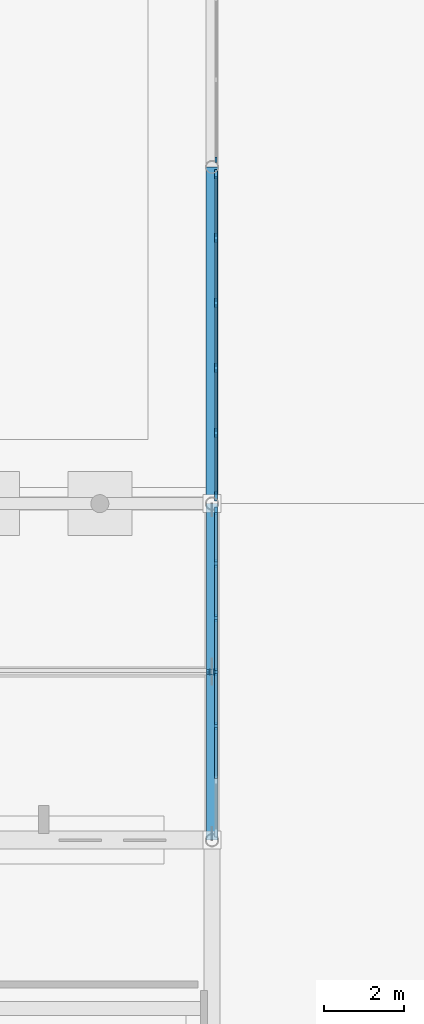
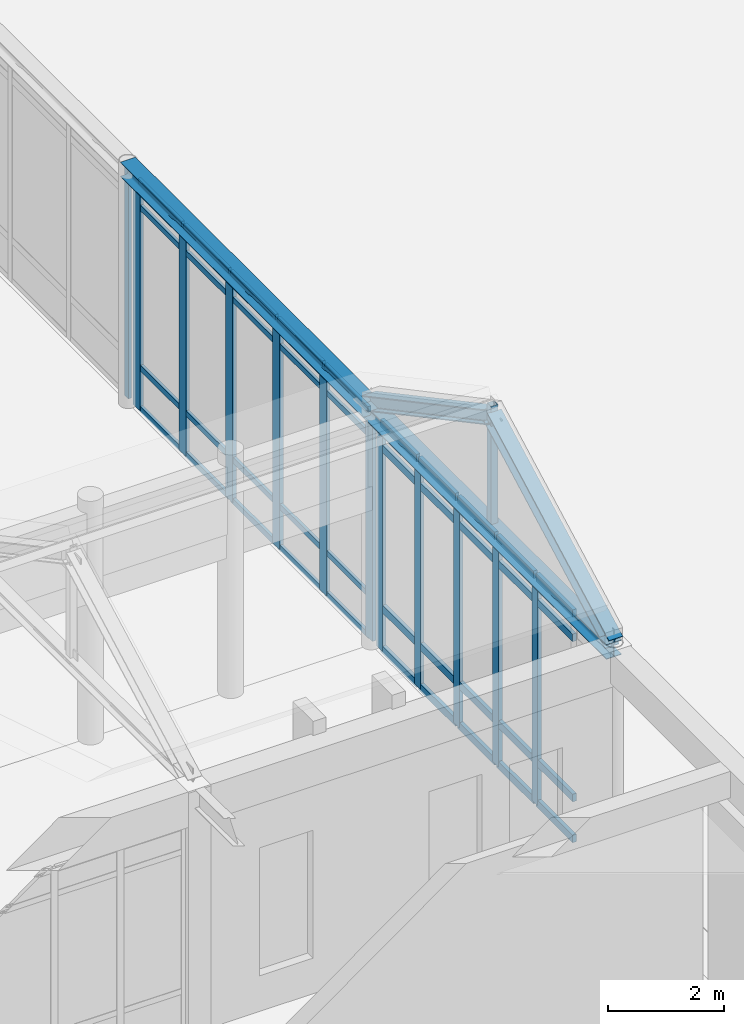
# One storey, part 30 of 143: 55 members, 2 beams, 3 elements without a shape of their own.
"""IFC4 building model written with IfcOpenShell, lengths in metres."""

import ifcopenshell
import ifcopenshell.guid

model = None  # the IFC model being written
_history = None  # IfcOwnerHistory: only IFC2X3 demands one
_inside = {}  # id of a spatial element -> (the spatial element, [elements in it])
_under = {}  # id of a project, library or spatial element -> (it, [spatial elements below it])
_declared = {}  # id of a project -> (the project, [libraries it declares])
_typed = {}  # id of a type object -> (the type object, [elements of that type])
_made_of = {}  # id of a material, layer set ... -> (it, [elements and type objects made of it])


def new_model(schema):
    """Start an empty IFC model of exactly this schema.

    Asked for "IFC4X3", IfcOpenShell would pick the latest addendum, in which some entities
    have other attributes; the version numbers below select the first issue.
    IFC2X3 requires an IfcOwnerHistory on every rooted entity: one is made here for all.
    """
    global model, _history
    if schema == "IFC4X3":
        model = ifcopenshell.file(schema_version=(4, 3, 0, 0))
    else:
        model = ifcopenshell.file(schema=schema)
    _inside.clear()
    _under.clear()
    _declared.clear()
    _typed.clear()
    _made_of.clear()
    _history = None
    if model.schema == "IFC2X3":
        org = make("IfcOrganization", Name="unknown")
        user = make(
            "IfcPersonAndOrganization",
            ThePerson=make("IfcPerson", FamilyName="unknown"),
            TheOrganization=org,
        )
        app = make(
            "IfcApplication",
            ApplicationDeveloper=org,
            Version="unknown",
            ApplicationFullName="unknown",
            ApplicationIdentifier="unknown",
        )
        _history = make(
            "IfcOwnerHistory",
            OwningUser=user,
            OwningApplication=app,
            ChangeAction="ADDED",
            CreationDate=0,
        )
    return model


def make(cls, **values):
    """One entity of the class cls with the attributes given. An attribute that is None is left unset."""
    return model.create_entity(
        cls, **{name: value for name, value in values.items() if value is not None}
    )


def rooted(cls, **values):
    """An entity with a GlobalId (a new one), such as an element, a storey or a relation."""
    return make(cls, GlobalId=ifcopenshell.guid.new(), OwnerHistory=_history, **values)


def si_unit(unit_type, name, prefix=None):
    """IfcSIUnit, for example si_unit("LENGTHUNIT", "METRE", prefix="MILLI")."""
    return make("IfcSIUnit", UnitType=unit_type, Prefix=prefix, Name=name)


def assignment(units):
    """IfcUnitAssignment: the units of a project."""
    return None if units is None else make("IfcUnitAssignment", Units=units)


def point(xyz):
    """IfcCartesianPoint."""
    return None if xyz is None else make("IfcCartesianPoint", Coordinates=xyz)


def direction(xyz):
    """IfcDirection."""
    return None if xyz is None else make("IfcDirection", DirectionRatios=xyz)


def frame(location, z_axis=None, x_axis=None):
    """IfcAxis2Placement3D, a coordinate frame: its origin and axes. An axis left out is left unset."""
    return make(
        "IfcAxis2Placement3D",
        Location=point(location),
        Axis=direction(z_axis),
        RefDirection=direction(x_axis),
    )


def frame_2d(location, x_axis=None):
    """IfcAxis2Placement2D, a coordinate frame in the plane: its origin and x axis."""
    return make(
        "IfcAxis2Placement2D", Location=point(location), RefDirection=direction(x_axis)
    )


def origin():
    """The frame at (0, 0, 0) with its axes left unset."""
    return frame((0.0, 0.0, 0.0))


def origin_2d():
    """The frame at (0, 0) in the plane with its x axis left unset."""
    return frame_2d((0.0, 0.0))


def place(relative_to, where):
    """IfcLocalPlacement: puts the frame where relative to a parent placement (None: the world)."""
    return make(
        "IfcLocalPlacement", PlacementRelTo=relative_to, RelativePlacement=where
    )


def context(
    kind, dimensions, precision=None, world=None, true_north=None, identifier=None
):
    """IfcGeometricRepresentationContext, for example the 3D "Model" context."""
    return make(
        "IfcGeometricRepresentationContext",
        ContextIdentifier=identifier,
        ContextType=kind,
        CoordinateSpaceDimension=dimensions,
        Precision=precision,
        WorldCoordinateSystem=world,
        TrueNorth=true_north,
    )


def subcontext(parent, identifier, kind, view, scale=None):
    """IfcGeometricRepresentationSubContext, for example "Body" below "Model"."""
    return make(
        "IfcGeometricRepresentationSubContext",
        ContextIdentifier=identifier,
        ContextType=kind,
        ParentContext=parent,
        TargetScale=scale,
        TargetView=view,
    )


def project(units=None, contexts=None):
    """IfcProject with its units and contexts."""
    return rooted(
        "IfcProject",
        Name="project",
        RepresentationContexts=contexts,
        UnitsInContext=assignment(units),
    )


def spatial(cls, under=None, at=None, **own):
    """A site, building, storey or space (cls), placed at a placement, below another one or the project."""
    s = rooted(cls, ObjectPlacement=at, **own)
    if under is not None:
        _under.setdefault(under.id(), (under, []))[1].append(s)
    return s


def profile(cls, at=None, kind="AREA", **sizes):
    """A parametric profile (cls). Its sizes go by their IFC names, for example OverallWidth=200.0."""
    return make(cls, ProfileType=kind, Position=at, **sizes)


def rectangle(**sizes):
    """IfcRectangleProfileDef."""
    return profile("IfcRectangleProfileDef", **sizes)


def hollow_rectangle(**sizes):
    """IfcRectangleHollowProfileDef."""
    return profile("IfcRectangleHollowProfileDef", **sizes)


def i_section(**sizes):
    """IfcIShapeProfileDef."""
    return profile("IfcIShapeProfileDef", **sizes)


def extrude(swept, where, along, depth):
    """IfcExtrudedAreaSolid: the profile swept, set in the frame where, extruded along a direction by depth."""
    return make(
        "IfcExtrudedAreaSolid",
        SweptArea=swept,
        Position=where,
        ExtrudedDirection=direction(along),
        Depth=depth,
    )


def shape(context_of_items, identifier, shape_type, items):
    """IfcShapeRepresentation: the items that make up one representation, for example the "Body"."""
    return make(
        "IfcShapeRepresentation",
        ContextOfItems=context_of_items,
        RepresentationIdentifier=identifier,
        RepresentationType=shape_type,
        Items=items,
    )


def material(Name=None, Category=None):
    """IfcMaterial."""
    return make("IfcMaterial", Name=Name, Category=Category)


def layer(
    of_material, thickness, ventilated=None, Name=None, Category=None, Priority=None
):
    """IfcMaterialLayer: one layer of a wall or slab, of a material (None: an air gap)."""
    return make(
        "IfcMaterialLayer",
        Material=of_material,
        LayerThickness=thickness,
        IsVentilated=ventilated,
        Name=Name,
        Category=Category,
        Priority=Priority,
    )


def layer_set(layers, Name=None):
    """IfcMaterialLayerSet."""
    return make("IfcMaterialLayerSet", MaterialLayers=layers, LayerSetName=Name)


def material_profile(
    of_material, cross_section, Name=None, Category=None, Priority=None
):
    """IfcMaterialProfile: a cross section and its material."""
    return make(
        "IfcMaterialProfile",
        Name=Name,
        Material=of_material,
        Profile=cross_section,
        Priority=Priority,
        Category=Category,
    )


def profile_set(profiles, Name=None, composite=None):
    """IfcMaterialProfileSet."""
    return make(
        "IfcMaterialProfileSet",
        Name=Name,
        MaterialProfiles=profiles,
        CompositeProfile=composite,
    )


def made_of(thing, what):
    """Note that an element or type object is made of a material, layer set ...; save() writes the relation."""
    if what is not None:
        _made_of.setdefault(what.id(), (what, []))[1].append(thing)
    return thing


def type_object(cls, material=None, **own):
    """A type object (cls), such as IfcWallType, which elements share."""
    return made_of(rooted(cls, **own), material)


def element(
    cls,
    number,
    at=None,
    inside=None,
    cuts=None,
    type_object=None,
    material=None,
    context=None,
    identifier="Body",
    shape_type=None,
    held_by="IfcProductDefinitionShape",
    body=None,
    shapes=None,
    **own,
):
    """One element of the class cls, such as IfcWall. Its Tag is "e" and its number.

    at: its placement. inside: the storey or other place that contains it. cuts: it is an
    opening in that element (IfcRelVoidsElement). A single representation is given by context,
    identifier, shape_type and body (its items); several are given by shapes. held_by: the class
    of the entity that holds the representations. save() writes the other relations.
    """
    e = rooted(cls, Tag="e%d" % number, ObjectPlacement=at, **own)
    if body is not None:
        shapes = [shape(context, identifier, shape_type, body)]
    if shapes is not None:
        e.Representation = make(held_by, Representations=shapes)
    if inside is not None:
        _inside.setdefault(inside.id(), (inside, []))[1].append(e)
    if cuts is not None:
        rooted(
            "IfcRelVoidsElement", RelatingBuildingElement=cuts, RelatedOpeningElement=e
        )
    if type_object is not None:
        _typed.setdefault(type_object.id(), (type_object, []))[1].append(e)
    return made_of(e, material)


def aggregate(whole, parts):
    """IfcRelAggregates: a whole, such as a stair, and the parts it consists of."""
    return rooted("IfcRelAggregates", RelatingObject=whole, RelatedObjects=parts)


def save(model, path):
    """Write the relations noted so far, then the file.

    IfcRelAggregates (storeys below a building ...), IfcRelContainedInSpatialStructure (elements
    in a storey), IfcRelDefinesByType, IfcRelAssociatesMaterial and IfcRelDeclares: one each for
    every whole, place, type object, material and project.
    """
    for whole, parts in _under.values():
        aggregate(whole, parts)
    for where, things in _inside.values():
        rooted(
            "IfcRelContainedInSpatialStructure",
            RelatedElements=things,
            RelatingStructure=where,
        )
    for kind, things in _typed.values():
        rooted("IfcRelDefinesByType", RelatedObjects=things, RelatingType=kind)
    for what, things in _made_of.values():
        rooted("IfcRelAssociatesMaterial", RelatedObjects=things, RelatingMaterial=what)
    for by, libraries in _declared.values():
        rooted("IfcRelDeclares", RelatingContext=by, RelatedDefinitions=libraries)
    model.write(path)


model = new_model("IFC4")

# Units and contexts
model_context = context("Model", 3, precision=1e-05, world=origin(), true_north=direction((0.0, 1.0)))
body_context = subcontext(model_context, "Body", "Model", "MODEL_VIEW")
ifc_project = project(units=[si_unit("LENGTHUNIT", "METRE"), si_unit("AREAUNIT", "SQUARE_METRE"), si_unit("VOLUMEUNIT", "CUBIC_METRE"), si_unit("PLANEANGLEUNIT", "RADIAN"), si_unit("MASSUNIT", "GRAM", prefix="KILO")], contexts=[model_context])

# Site, building, storey
site_placement = place(None, origin())
site = spatial("IfcSite", under=ifc_project, at=site_placement, CompositionType="ELEMENT")
building_placement = place(site_placement, origin())
building = spatial("IfcBuilding", under=site, at=building_placement, Name="Kveldsbrygga Polytechnic", CompositionType="ELEMENT")
storey_placement = place(building_placement, origin())
storey = spatial("IfcBuildingStorey", under=building, at=storey_placement, Name="L00", CompositionType="ELEMENT", Elevation=0.0)

# Beams
ifc_material_1 = material(Name="Steel S355", Category="steel")
ifc_material_profile_1 = material_profile(ifc_material_1, i_section(OverallWidth=0.300048828125, OverallDepth=0.31005859375, WebThickness=0.009033203125, FlangeThickness=0.015380859375, FilletRadius=0.027099609375, at=origin_2d()), Name="HEA 320")
ifc_profile_set_1 = profile_set([ifc_material_profile_1], Name="Steel S355")
beam_type = type_object("IfcBeamType", Name="BM-STL-HEA320", PredefinedType="BEAM", material=ifc_profile_set_1)
beam_1_placement = place(storey_placement, frame((50.39990234375, 25.199951171875, 4.985107421875), z_axis=(0.0, 1.0, 0.0), x_axis=(-1.0, 0.0, 0.0)))
element("IfcBeam", 1, at=beam_1_placement, inside=storey, type_object=beam_type, Name="Primary Beam BMY-L00-06-03to04", PredefinedType="BEAM", context=body_context, shape_type="SweptSolid", body=[
    extrude(i_section(OverallWidth=0.300048828125, OverallDepth=0.31005859375, WebThickness=0.009033203125, FlangeThickness=0.015380859375, FilletRadius=0.027099609375, at=origin_2d()), origin(), (0.0, 0.0, 1.0), 8.400146484375),
])
beam_2_placement = place(storey_placement, frame((50.39990234375, 33.60009765625, 4.985107421875), z_axis=(0.0, 1.0, 0.0), x_axis=(-1.0, 0.0, 0.0)))
element("IfcBeam", 2, at=beam_2_placement, inside=storey, type_object=beam_type, Name="Primary Beam BMY-L00-06-04to05", PredefinedType="BEAM", context=body_context, shape_type="SweptSolid", body=[
    extrude(i_section(OverallWidth=0.300048828125, OverallDepth=0.31005859375, WebThickness=0.009033203125, FlangeThickness=0.015380859375, FilletRadius=0.027099609375, at=origin_2d()), origin(), (0.0, 0.0, 1.0), 8.39990234375),
])

# Curtain wall, member
ifc_material_2 = material(Name="Anodised aluminium AW-6060", Category="aluminium")
ifc_layer_1 = layer(ifc_material_2, 0.199951171875)
ifc_layer_set_1 = layer_set([ifc_layer_1], Name="Anodised aluminium AW-6060")
curtain_wall_type_1 = type_object("IfcCurtainWallType", Name="CW-LANC-E", PredefinedType="USERDEFINED", material=ifc_layer_set_1)
curtain_wall_1_placement = place(storey_placement, origin())
curtain_wall_1 = element("IfcCurtainWall", 3, at=curtain_wall_1_placement, inside=storey, type_object=curtain_wall_type_1, Name="Curtain Wall CW-L00-Y-06-05", ObjectType="UNITISED CURTAIN WALL", PredefinedType="USERDEFINED")
ifc_material_profile_2 = material_profile(ifc_material_2, rectangle(XDim=0.06005859375, YDim=0.139892578125, at=origin_2d()), Name="ALU 60x140")
ifc_profile_set_2 = profile_set([ifc_material_profile_2], Name="Anodised aluminium AW-6060")
member_type_1 = type_object("IfcMemberType", Name="CW-MUL-140", PredefinedType="MULLION", material=ifc_profile_set_2)
member_1_placement = place(storey_placement, frame((50.5, 42.177001953125, 0.0), z_axis=(0.0, 0.0, 1.0), x_axis=(-1.0, 0.0, 0.0)))
member_1 = element("IfcMember", 4, at=member_1_placement, type_object=member_type_1, Name="CW-05 mullion 1", PredefinedType="MULLION", context=body_context, shape_type="SweptSolid", body=[
    extrude(rectangle(XDim=0.06005859375, YDim=0.139892578125, at=origin_2d()), origin(), (0.0, 0.0, 1.0), 4.830078125),
])
aggregate(curtain_wall_1, [member_1])

# Curtain wall, members
ifc_layer_2 = layer(ifc_material_2, 0.159912109375)
ifc_layer_set_2 = layer_set([ifc_layer_2], Name="Anodised aluminium AW-6060")
curtain_wall_type_2 = type_object("IfcCurtainWallType", Name="CW-CLER-C", PredefinedType="USERDEFINED", material=ifc_layer_set_2)
curtain_wall_2_placement = place(storey_placement, origin())
curtain_wall_2 = element("IfcCurtainWall", 5, at=curtain_wall_2_placement, inside=storey, type_object=curtain_wall_type_2, Name="Curtain Wall CW-L00-Y-06-03", ObjectType="STICK CURTAIN WALL", PredefinedType="USERDEFINED")
ifc_material_profile_3 = material_profile(ifc_material_2, rectangle(XDim=0.074951171875, YDim=0.199951171875, at=origin_2d()), Name="ALU 75x200")
ifc_profile_set_3 = profile_set([ifc_material_profile_3], Name="Anodised aluminium AW-6060")
member_type_2 = type_object("IfcMemberType", Name="CW-MUL-200", PredefinedType="MULLION", material=ifc_profile_set_3)
member_2_placement = place(storey_placement, frame((50.5, 28.049072265625, 0.0), z_axis=(0.0, 0.0, 1.0), x_axis=(-1.0, 0.0, 0.0)))
member_2 = element("IfcMember", 6, at=member_2_placement, type_object=member_type_2, Name="CW-03 mullion 3", PredefinedType="MULLION", context=body_context, shape_type="SweptSolid", body=[
    extrude(rectangle(XDim=0.074951171875, YDim=0.199951171875, at=origin_2d()), origin(), (0.0, 0.0, 1.0), 4.830078125),
])
member_3_placement = place(storey_placement, frame((50.5, 29.39990234375, 0.0), z_axis=(0.0, 0.0, 1.0), x_axis=(-1.0, 0.0, 0.0)))
member_3 = element("IfcMember", 7, at=member_3_placement, type_object=member_type_2, Name="CW-03 mullion 4", PredefinedType="MULLION", context=body_context, shape_type="SweptSolid", body=[
    extrude(rectangle(XDim=0.074951171875, YDim=0.199951171875, at=origin_2d()), origin(), (0.0, 0.0, 1.0), 4.830078125),
])
member_4_placement = place(storey_placement, frame((50.5, 30.7509765625, 0.0), z_axis=(0.0, 0.0, 1.0), x_axis=(-1.0, 0.0, 0.0)))
member_4 = element("IfcMember", 8, at=member_4_placement, type_object=member_type_2, Name="CW-03 mullion 5", PredefinedType="MULLION", context=body_context, shape_type="SweptSolid", body=[
    extrude(rectangle(XDim=0.074951171875, YDim=0.199951171875, at=origin_2d()), origin(), (0.0, 0.0, 1.0), 4.830078125),
])
member_5_placement = place(storey_placement, frame((50.5, 32.10205078125, 0.0), z_axis=(0.0, 0.0, 1.0), x_axis=(-1.0, 0.0, 0.0)))
member_5 = element("IfcMember", 9, at=member_5_placement, type_object=member_type_2, Name="CW-03 mullion 6", PredefinedType="MULLION", context=body_context, shape_type="SweptSolid", body=[
    extrude(rectangle(XDim=0.074951171875, YDim=0.199951171875, at=origin_2d()), origin(), (0.0, 0.0, 1.0), 4.830078125),
])
member_6_placement = place(storey_placement, frame((50.5, 33.41552734375, 0.0), z_axis=(0.0, 0.0, 1.0), x_axis=(-1.0, 0.0, 0.0)))
member_6 = element("IfcMember", 10, at=member_6_placement, type_object=member_type_2, Name="CW-03 mullion 7", PredefinedType="MULLION", context=body_context, shape_type="SweptSolid", body=[
    extrude(rectangle(XDim=0.074951171875, YDim=0.199951171875, at=origin_2d()), origin(), (0.0, 0.0, 1.0), 4.830078125),
])

ifc_layer_3 = layer(ifc_material_2, 0.179931640625)
ifc_layer_set_3 = layer_set([ifc_layer_3], Name="Anodised aluminium AW-6060")
curtain_wall_type_3 = type_object("IfcCurtainWallType", Name="CW-LANC-D", PredefinedType="USERDEFINED", material=ifc_layer_set_3)
curtain_wall_3_placement = place(storey_placement, origin())
curtain_wall_3 = element("IfcCurtainWall", 11, at=curtain_wall_3_placement, inside=storey, type_object=curtain_wall_type_3, Name="Curtain Wall CW-L00-Y-06-04", ObjectType="UNITISED CURTAIN WALL", PredefinedType="USERDEFINED")
ifc_material_profile_4 = material_profile(ifc_material_2, rectangle(XDim=0.074951171875, YDim=0.239990234375, at=origin_2d()), Name="ALU 75x240")
ifc_profile_set_4 = profile_set([ifc_material_profile_4], Name="Anodised aluminium AW-6060")
member_type_3 = type_object("IfcMemberType", Name="CW-MUL-240", PredefinedType="MULLION", material=ifc_profile_set_4)
member_7_placement = place(storey_placement, frame((50.5, 33.784423828125, 0.0), z_axis=(0.0, 0.0, 1.0), x_axis=(-1.0, 0.0, 0.0)))
member_7 = element("IfcMember", 12, at=member_7_placement, type_object=member_type_3, Name="CW-04 mullion 1", PredefinedType="MULLION", context=body_context, shape_type="SweptSolid", body=[
    extrude(rectangle(XDim=0.074951171875, YDim=0.239990234375, at=origin_2d()), origin(), (0.0, 0.0, 1.0), 4.830078125),
])
member_8_placement = place(storey_placement, frame((50.5, 35.3681640625, 0.0), z_axis=(0.0, 0.0, 1.0), x_axis=(-1.0, 0.0, 0.0)))
member_8 = element("IfcMember", 13, at=member_8_placement, type_object=member_type_3, Name="CW-04 mullion 2", PredefinedType="MULLION", context=body_context, shape_type="SweptSolid", body=[
    extrude(rectangle(XDim=0.074951171875, YDim=0.239990234375, at=origin_2d()), origin(), (0.0, 0.0, 1.0), 4.830078125),
])
member_9_placement = place(storey_placement, frame((50.5, 36.989501953125, 0.0), z_axis=(0.0, 0.0, 1.0), x_axis=(-1.0, 0.0, 0.0)))
member_9 = element("IfcMember", 14, at=member_9_placement, type_object=member_type_3, Name="CW-04 mullion 3", PredefinedType="MULLION", context=body_context, shape_type="SweptSolid", body=[
    extrude(rectangle(XDim=0.074951171875, YDim=0.239990234375, at=origin_2d()), origin(), (0.0, 0.0, 1.0), 4.830078125),
])
member_10_placement = place(storey_placement, frame((50.5, 38.610595703125, 0.0), z_axis=(0.0, 0.0, 1.0), x_axis=(-1.0, 0.0, 0.0)))
member_10 = element("IfcMember", 15, at=member_10_placement, type_object=member_type_3, Name="CW-04 mullion 4", PredefinedType="MULLION", context=body_context, shape_type="SweptSolid", body=[
    extrude(rectangle(XDim=0.074951171875, YDim=0.239990234375, at=origin_2d()), origin(), (0.0, 0.0, 1.0), 4.830078125),
])
member_11_placement = place(storey_placement, frame((50.5, 40.23193359375, 0.0), z_axis=(0.0, 0.0, 1.0), x_axis=(-1.0, 0.0, 0.0)))
member_11 = element("IfcMember", 16, at=member_11_placement, type_object=member_type_3, Name="CW-04 mullion 5", PredefinedType="MULLION", context=body_context, shape_type="SweptSolid", body=[
    extrude(rectangle(XDim=0.074951171875, YDim=0.239990234375, at=origin_2d()), origin(), (0.0, 0.0, 1.0), 4.830078125),
])
member_12_placement = place(storey_placement, frame((50.5, 41.8154296875, 0.0), z_axis=(0.0, 0.0, 1.0), x_axis=(-1.0, 0.0, 0.0)))
member_12 = element("IfcMember", 17, at=member_12_placement, type_object=member_type_3, Name="CW-04 mullion 6", PredefinedType="MULLION", context=body_context, shape_type="SweptSolid", body=[
    extrude(rectangle(XDim=0.074951171875, YDim=0.239990234375, at=origin_2d()), origin(), (0.0, 0.0, 1.0), 4.830078125),
])
ifc_material_profile_5 = material_profile(ifc_material_2, rectangle(XDim=0.06005859375, YDim=0.1201171875, at=origin_2d()), Name="ALU 60x120")
ifc_profile_set_5 = profile_set([ifc_material_profile_5], Name="Anodised aluminium AW-6060")
member_type_4 = type_object("IfcMemberType", Name="CW-TRN-120", PredefinedType="USERDEFINED", material=ifc_profile_set_5)
member_13_placement = place(storey_placement, frame((50.5, 33.822021484375, 0.030029296875), z_axis=(0.0, 1.0, 0.0), x_axis=(-1.0, 0.0, 0.0)))
member_13 = element("IfcMember", 18, at=member_13_placement, type_object=member_type_4, Name="CW-04 transom 1.1", ObjectType="TRANSOM", PredefinedType="USERDEFINED", context=body_context, shape_type="SweptSolid", body=[
    extrude(rectangle(XDim=0.06005859375, YDim=0.1201171875, at=origin_2d()), origin(), (0.0, 0.0, 1.0), 1.508544921875),
])
member_14_placement = place(storey_placement, frame((50.5, 33.822021484375, 0.89990234375), z_axis=(0.0, 1.0, 0.0), x_axis=(-1.0, 0.0, 0.0)))
member_14 = element("IfcMember", 19, at=member_14_placement, type_object=member_type_4, Name="CW-04 transom 1.2", ObjectType="TRANSOM", PredefinedType="USERDEFINED", context=body_context, shape_type="SweptSolid", body=[
    extrude(rectangle(XDim=0.06005859375, YDim=0.1201171875, at=origin_2d()), origin(), (0.0, 0.0, 1.0), 1.508544921875),
])
member_15_placement = place(storey_placement, frame((50.5, 33.822021484375, 4.280029296875), z_axis=(0.0, 1.0, 0.0), x_axis=(-1.0, 0.0, 0.0)))
member_15 = element("IfcMember", 20, at=member_15_placement, type_object=member_type_4, Name="CW-04 transom 1.3", ObjectType="TRANSOM", PredefinedType="USERDEFINED", context=body_context, shape_type="SweptSolid", body=[
    extrude(rectangle(XDim=0.06005859375, YDim=0.1201171875, at=origin_2d()), origin(), (0.0, 0.0, 1.0), 1.508544921875),
])
member_16_placement = place(storey_placement, frame((50.5, 33.822021484375, 4.800048828125), z_axis=(0.0, 1.0, 0.0), x_axis=(-1.0, 0.0, 0.0)))
member_16 = element("IfcMember", 21, at=member_16_placement, type_object=member_type_4, Name="CW-04 transom 1.4", ObjectType="TRANSOM", PredefinedType="USERDEFINED", context=body_context, shape_type="SweptSolid", body=[
    extrude(rectangle(XDim=0.06005859375, YDim=0.1201171875, at=origin_2d()), origin(), (0.0, 0.0, 1.0), 1.508544921875),
])
member_17_placement = place(storey_placement, frame((50.5, 35.40576171875, 0.030029296875), z_axis=(0.0, 1.0, 0.0), x_axis=(-1.0, 0.0, 0.0)))
member_17 = element("IfcMember", 22, at=member_17_placement, type_object=member_type_4, Name="CW-04 transom 2.1", ObjectType="TRANSOM", PredefinedType="USERDEFINED", context=body_context, shape_type="SweptSolid", body=[
    extrude(rectangle(XDim=0.06005859375, YDim=0.1201171875, at=origin_2d()), origin(), (0.0, 0.0, 1.0), 1.546142578125),
])
member_18_placement = place(storey_placement, frame((50.5, 35.40576171875, 0.89990234375), z_axis=(0.0, 1.0, 0.0), x_axis=(-1.0, 0.0, 0.0)))
member_18 = element("IfcMember", 23, at=member_18_placement, type_object=member_type_4, Name="CW-04 transom 2.2", ObjectType="TRANSOM", PredefinedType="USERDEFINED", context=body_context, shape_type="SweptSolid", body=[
    extrude(rectangle(XDim=0.06005859375, YDim=0.1201171875, at=origin_2d()), origin(), (0.0, 0.0, 1.0), 1.546142578125),
])
member_19_placement = place(storey_placement, frame((50.5, 35.40576171875, 4.280029296875), z_axis=(0.0, 1.0, 0.0), x_axis=(-1.0, 0.0, 0.0)))
member_19 = element("IfcMember", 24, at=member_19_placement, type_object=member_type_4, Name="CW-04 transom 2.3", ObjectType="TRANSOM", PredefinedType="USERDEFINED", context=body_context, shape_type="SweptSolid", body=[
    extrude(rectangle(XDim=0.06005859375, YDim=0.1201171875, at=origin_2d()), origin(), (0.0, 0.0, 1.0), 1.546142578125),
])
member_20_placement = place(storey_placement, frame((50.5, 35.40576171875, 4.800048828125), z_axis=(0.0, 1.0, 0.0), x_axis=(-1.0, 0.0, 0.0)))
member_20 = element("IfcMember", 25, at=member_20_placement, type_object=member_type_4, Name="CW-04 transom 2.4", ObjectType="TRANSOM", PredefinedType="USERDEFINED", context=body_context, shape_type="SweptSolid", body=[
    extrude(rectangle(XDim=0.06005859375, YDim=0.1201171875, at=origin_2d()), origin(), (0.0, 0.0, 1.0), 1.546142578125),
])
member_21_placement = place(storey_placement, frame((50.5, 37.02685546875, 0.030029296875), z_axis=(0.0, 1.0, 0.0), x_axis=(-1.0, 0.0, 0.0)))
member_21 = element("IfcMember", 26, at=member_21_placement, type_object=member_type_4, Name="CW-04 transom 3.1", ObjectType="TRANSOM", PredefinedType="USERDEFINED", context=body_context, shape_type="SweptSolid", body=[
    extrude(rectangle(XDim=0.06005859375, YDim=0.1201171875, at=origin_2d()), origin(), (0.0, 0.0, 1.0), 1.546142578125),
])
member_22_placement = place(storey_placement, frame((50.5, 37.02685546875, 0.89990234375), z_axis=(0.0, 1.0, 0.0), x_axis=(-1.0, 0.0, 0.0)))
member_22 = element("IfcMember", 27, at=member_22_placement, type_object=member_type_4, Name="CW-04 transom 3.2", ObjectType="TRANSOM", PredefinedType="USERDEFINED", context=body_context, shape_type="SweptSolid", body=[
    extrude(rectangle(XDim=0.06005859375, YDim=0.1201171875, at=origin_2d()), origin(), (0.0, 0.0, 1.0), 1.546142578125),
])
member_23_placement = place(storey_placement, frame((50.5, 37.02685546875, 4.280029296875), z_axis=(0.0, 1.0, 0.0), x_axis=(-1.0, 0.0, 0.0)))
member_23 = element("IfcMember", 28, at=member_23_placement, type_object=member_type_4, Name="CW-04 transom 3.3", ObjectType="TRANSOM", PredefinedType="USERDEFINED", context=body_context, shape_type="SweptSolid", body=[
    extrude(rectangle(XDim=0.06005859375, YDim=0.1201171875, at=origin_2d()), origin(), (0.0, 0.0, 1.0), 1.546142578125),
])
member_24_placement = place(storey_placement, frame((50.5, 37.02685546875, 4.800048828125), z_axis=(0.0, 1.0, 0.0), x_axis=(-1.0, 0.0, 0.0)))
member_24 = element("IfcMember", 29, at=member_24_placement, type_object=member_type_4, Name="CW-04 transom 3.4", ObjectType="TRANSOM", PredefinedType="USERDEFINED", context=body_context, shape_type="SweptSolid", body=[
    extrude(rectangle(XDim=0.06005859375, YDim=0.1201171875, at=origin_2d()), origin(), (0.0, 0.0, 1.0), 1.546142578125),
])
member_25_placement = place(storey_placement, frame((50.5, 38.648193359375, 0.030029296875), z_axis=(0.0, 1.0, 0.0), x_axis=(-1.0, 0.0, 0.0)))
member_25 = element("IfcMember", 30, at=member_25_placement, type_object=member_type_4, Name="CW-04 transom 4.1", ObjectType="TRANSOM", PredefinedType="USERDEFINED", context=body_context, shape_type="SweptSolid", body=[
    extrude(rectangle(XDim=0.06005859375, YDim=0.1201171875, at=origin_2d()), origin(), (0.0, 0.0, 1.0), 1.546142578125),
])
member_26_placement = place(storey_placement, frame((50.5, 38.648193359375, 0.89990234375), z_axis=(0.0, 1.0, 0.0), x_axis=(-1.0, 0.0, 0.0)))
member_26 = element("IfcMember", 31, at=member_26_placement, type_object=member_type_4, Name="CW-04 transom 4.2", ObjectType="TRANSOM", PredefinedType="USERDEFINED", context=body_context, shape_type="SweptSolid", body=[
    extrude(rectangle(XDim=0.06005859375, YDim=0.1201171875, at=origin_2d()), origin(), (0.0, 0.0, 1.0), 1.546142578125),
])
member_27_placement = place(storey_placement, frame((50.5, 38.648193359375, 4.280029296875), z_axis=(0.0, 1.0, 0.0), x_axis=(-1.0, 0.0, 0.0)))
member_27 = element("IfcMember", 32, at=member_27_placement, type_object=member_type_4, Name="CW-04 transom 4.3", ObjectType="TRANSOM", PredefinedType="USERDEFINED", context=body_context, shape_type="SweptSolid", body=[
    extrude(rectangle(XDim=0.06005859375, YDim=0.1201171875, at=origin_2d()), origin(), (0.0, 0.0, 1.0), 1.546142578125),
])
member_28_placement = place(storey_placement, frame((50.5, 38.648193359375, 4.800048828125), z_axis=(0.0, 1.0, 0.0), x_axis=(-1.0, 0.0, 0.0)))
member_28 = element("IfcMember", 33, at=member_28_placement, type_object=member_type_4, Name="CW-04 transom 4.4", ObjectType="TRANSOM", PredefinedType="USERDEFINED", context=body_context, shape_type="SweptSolid", body=[
    extrude(rectangle(XDim=0.06005859375, YDim=0.1201171875, at=origin_2d()), origin(), (0.0, 0.0, 1.0), 1.546142578125),
])
member_29_placement = place(storey_placement, frame((50.5, 40.269287109375, 0.030029296875), z_axis=(0.0, 1.0, 0.0), x_axis=(-1.0, 0.0, 0.0)))
member_29 = element("IfcMember", 34, at=member_29_placement, type_object=member_type_4, Name="CW-04 transom 5.1", ObjectType="TRANSOM", PredefinedType="USERDEFINED", context=body_context, shape_type="SweptSolid", body=[
    extrude(rectangle(XDim=0.06005859375, YDim=0.1201171875, at=origin_2d()), origin(), (0.0, 0.0, 1.0), 1.5087890625),
])
member_30_placement = place(storey_placement, frame((50.5, 40.269287109375, 0.89990234375), z_axis=(0.0, 1.0, 0.0), x_axis=(-1.0, 0.0, 0.0)))
member_30 = element("IfcMember", 35, at=member_30_placement, type_object=member_type_4, Name="CW-04 transom 5.2", ObjectType="TRANSOM", PredefinedType="USERDEFINED", context=body_context, shape_type="SweptSolid", body=[
    extrude(rectangle(XDim=0.06005859375, YDim=0.1201171875, at=origin_2d()), origin(), (0.0, 0.0, 1.0), 1.5087890625),
])
member_31_placement = place(storey_placement, frame((50.5, 40.269287109375, 4.280029296875), z_axis=(0.0, 1.0, 0.0), x_axis=(-1.0, 0.0, 0.0)))
member_31 = element("IfcMember", 36, at=member_31_placement, type_object=member_type_4, Name="CW-04 transom 5.3", ObjectType="TRANSOM", PredefinedType="USERDEFINED", context=body_context, shape_type="SweptSolid", body=[
    extrude(rectangle(XDim=0.06005859375, YDim=0.1201171875, at=origin_2d()), origin(), (0.0, 0.0, 1.0), 1.5087890625),
])
member_32_placement = place(storey_placement, frame((50.5, 40.269287109375, 4.800048828125), z_axis=(0.0, 1.0, 0.0), x_axis=(-1.0, 0.0, 0.0)))
member_32 = element("IfcMember", 37, at=member_32_placement, type_object=member_type_4, Name="CW-04 transom 5.4", ObjectType="TRANSOM", PredefinedType="USERDEFINED", context=body_context, shape_type="SweptSolid", body=[
    extrude(rectangle(XDim=0.06005859375, YDim=0.1201171875, at=origin_2d()), origin(), (0.0, 0.0, 1.0), 1.5087890625),
])
aggregate(curtain_wall_3, [member_7, member_8, member_9, member_10, member_11, member_12, member_13, member_14, member_15, member_16, member_17, member_18, member_19, member_20, member_21, member_22, member_23, member_24, member_25, member_26, member_27, member_28, member_29, member_30, member_31, member_32])

# Member
ifc_material_profile_6 = material_profile(ifc_material_2, rectangle(XDim=0.074951171875, YDim=0.159912109375, at=origin_2d()), Name="ALU 75x160")
ifc_profile_set_6 = profile_set([ifc_material_profile_6], Name="Anodised aluminium AW-6060")
member_type_5 = type_object("IfcMemberType", Name="CW-TRN-160", PredefinedType="USERDEFINED", material=ifc_profile_set_6)
member_33_placement = place(storey_placement, frame((50.5, 26.7353515625, 0.03759765625), z_axis=(0.0, 1.0, 0.0), x_axis=(-1.0, 0.0, 0.0)))
member_33 = element("IfcMember", 38, at=member_33_placement, type_object=member_type_5, Name="CW-03 transom 2.1", ObjectType="TRANSOM", PredefinedType="USERDEFINED", context=body_context, shape_type="SweptSolid", body=[
    extrude(rectangle(XDim=0.074951171875, YDim=0.159912109375, at=origin_2d()), origin(), (0.0, 0.0, 1.0), 1.276123046875),
])

member_34_placement = place(storey_placement, frame((50.5, 26.7353515625, 0.89990234375), z_axis=(0.0, 1.0, 0.0), x_axis=(-1.0, 0.0, 0.0)))
member_34 = element("IfcMember", 39, at=member_34_placement, type_object=member_type_5, Name="CW-03 transom 2.2", ObjectType="TRANSOM", PredefinedType="USERDEFINED", context=body_context, shape_type="SweptSolid", body=[
    extrude(rectangle(XDim=0.074951171875, YDim=0.159912109375, at=origin_2d()), origin(), (0.0, 0.0, 1.0), 1.276123046875),
])

member_35_placement = place(storey_placement, frame((50.5, 26.7353515625, 4.280029296875), z_axis=(0.0, 1.0, 0.0), x_axis=(-1.0, 0.0, 0.0)))
member_35 = element("IfcMember", 40, at=member_35_placement, type_object=member_type_5, Name="CW-03 transom 2.3", ObjectType="TRANSOM", PredefinedType="USERDEFINED", context=body_context, shape_type="SweptSolid", body=[
    extrude(rectangle(XDim=0.074951171875, YDim=0.159912109375, at=origin_2d()), origin(), (0.0, 0.0, 1.0), 1.276123046875),
])

member_36_placement = place(storey_placement, frame((50.5, 26.7353515625, 4.79248046875), z_axis=(0.0, 1.0, 0.0), x_axis=(-1.0, 0.0, 0.0)))
member_36 = element("IfcMember", 41, at=member_36_placement, type_object=member_type_5, Name="CW-03 transom 2.4", ObjectType="TRANSOM", PredefinedType="USERDEFINED", context=body_context, shape_type="SweptSolid", body=[
    extrude(rectangle(XDim=0.074951171875, YDim=0.159912109375, at=origin_2d()), origin(), (0.0, 0.0, 1.0), 1.276123046875),
])

member_37_placement = place(storey_placement, frame((50.5, 28.08642578125, 0.03759765625), z_axis=(0.0, 1.0, 0.0), x_axis=(-1.0, 0.0, 0.0)))
member_37 = element("IfcMember", 42, at=member_37_placement, type_object=member_type_5, Name="CW-03 transom 3.1", ObjectType="TRANSOM", PredefinedType="USERDEFINED", context=body_context, shape_type="SweptSolid", body=[
    extrude(rectangle(XDim=0.074951171875, YDim=0.159912109375, at=origin_2d()), origin(), (0.0, 0.0, 1.0), 1.276123046875),
])

member_38_placement = place(storey_placement, frame((50.5, 28.08642578125, 0.89990234375), z_axis=(0.0, 1.0, 0.0), x_axis=(-1.0, 0.0, 0.0)))
member_38 = element("IfcMember", 43, at=member_38_placement, type_object=member_type_5, Name="CW-03 transom 3.2", ObjectType="TRANSOM", PredefinedType="USERDEFINED", context=body_context, shape_type="SweptSolid", body=[
    extrude(rectangle(XDim=0.074951171875, YDim=0.159912109375, at=origin_2d()), origin(), (0.0, 0.0, 1.0), 1.276123046875),
])

member_39_placement = place(storey_placement, frame((50.5, 28.08642578125, 4.280029296875), z_axis=(0.0, 1.0, 0.0), x_axis=(-1.0, 0.0, 0.0)))
member_39 = element("IfcMember", 44, at=member_39_placement, type_object=member_type_5, Name="CW-03 transom 3.3", ObjectType="TRANSOM", PredefinedType="USERDEFINED", context=body_context, shape_type="SweptSolid", body=[
    extrude(rectangle(XDim=0.074951171875, YDim=0.159912109375, at=origin_2d()), origin(), (0.0, 0.0, 1.0), 1.276123046875),
])

member_40_placement = place(storey_placement, frame((50.5, 28.08642578125, 4.79248046875), z_axis=(0.0, 1.0, 0.0), x_axis=(-1.0, 0.0, 0.0)))
member_40 = element("IfcMember", 45, at=member_40_placement, type_object=member_type_5, Name="CW-03 transom 3.4", ObjectType="TRANSOM", PredefinedType="USERDEFINED", context=body_context, shape_type="SweptSolid", body=[
    extrude(rectangle(XDim=0.074951171875, YDim=0.159912109375, at=origin_2d()), origin(), (0.0, 0.0, 1.0), 1.276123046875),
])

member_41_placement = place(storey_placement, frame((50.5, 29.4375, 0.03759765625), z_axis=(0.0, 1.0, 0.0), x_axis=(-1.0, 0.0, 0.0)))
member_41 = element("IfcMember", 46, at=member_41_placement, type_object=member_type_5, Name="CW-03 transom 4.1", ObjectType="TRANSOM", PredefinedType="USERDEFINED", context=body_context, shape_type="SweptSolid", body=[
    extrude(rectangle(XDim=0.074951171875, YDim=0.159912109375, at=origin_2d()), origin(), (0.0, 0.0, 1.0), 1.276123046875),
])

member_42_placement = place(storey_placement, frame((50.5, 29.4375, 0.89990234375), z_axis=(0.0, 1.0, 0.0), x_axis=(-1.0, 0.0, 0.0)))
member_42 = element("IfcMember", 47, at=member_42_placement, type_object=member_type_5, Name="CW-03 transom 4.2", ObjectType="TRANSOM", PredefinedType="USERDEFINED", context=body_context, shape_type="SweptSolid", body=[
    extrude(rectangle(XDim=0.074951171875, YDim=0.159912109375, at=origin_2d()), origin(), (0.0, 0.0, 1.0), 1.276123046875),
])

member_43_placement = place(storey_placement, frame((50.5, 29.4375, 4.280029296875), z_axis=(0.0, 1.0, 0.0), x_axis=(-1.0, 0.0, 0.0)))
member_43 = element("IfcMember", 48, at=member_43_placement, type_object=member_type_5, Name="CW-03 transom 4.3", ObjectType="TRANSOM", PredefinedType="USERDEFINED", context=body_context, shape_type="SweptSolid", body=[
    extrude(rectangle(XDim=0.074951171875, YDim=0.159912109375, at=origin_2d()), origin(), (0.0, 0.0, 1.0), 1.276123046875),
])

member_44_placement = place(storey_placement, frame((50.5, 29.4375, 4.79248046875), z_axis=(0.0, 1.0, 0.0), x_axis=(-1.0, 0.0, 0.0)))
member_44 = element("IfcMember", 49, at=member_44_placement, type_object=member_type_5, Name="CW-03 transom 4.4", ObjectType="TRANSOM", PredefinedType="USERDEFINED", context=body_context, shape_type="SweptSolid", body=[
    extrude(rectangle(XDim=0.074951171875, YDim=0.159912109375, at=origin_2d()), origin(), (0.0, 0.0, 1.0), 1.276123046875),
])

member_45_placement = place(storey_placement, frame((50.5, 30.78857421875, 0.03759765625), z_axis=(0.0, 1.0, 0.0), x_axis=(-1.0, 0.0, 0.0)))
member_45 = element("IfcMember", 50, at=member_45_placement, type_object=member_type_5, Name="CW-03 transom 5.1", ObjectType="TRANSOM", PredefinedType="USERDEFINED", context=body_context, shape_type="SweptSolid", body=[
    extrude(rectangle(XDim=0.074951171875, YDim=0.159912109375, at=origin_2d()), origin(), (0.0, 0.0, 1.0), 1.27587890625),
])

member_46_placement = place(storey_placement, frame((50.5, 30.78857421875, 0.89990234375), z_axis=(0.0, 1.0, 0.0), x_axis=(-1.0, 0.0, 0.0)))
member_46 = element("IfcMember", 51, at=member_46_placement, type_object=member_type_5, Name="CW-03 transom 5.2", ObjectType="TRANSOM", PredefinedType="USERDEFINED", context=body_context, shape_type="SweptSolid", body=[
    extrude(rectangle(XDim=0.074951171875, YDim=0.159912109375, at=origin_2d()), origin(), (0.0, 0.0, 1.0), 1.27587890625),
])

member_47_placement = place(storey_placement, frame((50.5, 30.78857421875, 4.280029296875), z_axis=(0.0, 1.0, 0.0), x_axis=(-1.0, 0.0, 0.0)))
member_47 = element("IfcMember", 52, at=member_47_placement, type_object=member_type_5, Name="CW-03 transom 5.3", ObjectType="TRANSOM", PredefinedType="USERDEFINED", context=body_context, shape_type="SweptSolid", body=[
    extrude(rectangle(XDim=0.074951171875, YDim=0.159912109375, at=origin_2d()), origin(), (0.0, 0.0, 1.0), 1.27587890625),
])

member_48_placement = place(storey_placement, frame((50.5, 30.78857421875, 4.79248046875), z_axis=(0.0, 1.0, 0.0), x_axis=(-1.0, 0.0, 0.0)))
member_48 = element("IfcMember", 53, at=member_48_placement, type_object=member_type_5, Name="CW-03 transom 5.4", ObjectType="TRANSOM", PredefinedType="USERDEFINED", context=body_context, shape_type="SweptSolid", body=[
    extrude(rectangle(XDim=0.074951171875, YDim=0.159912109375, at=origin_2d()), origin(), (0.0, 0.0, 1.0), 1.27587890625),
])

member_49_placement = place(storey_placement, frame((50.5, 32.1396484375, 0.03759765625), z_axis=(0.0, 1.0, 0.0), x_axis=(-1.0, 0.0, 0.0)))
member_49 = element("IfcMember", 54, at=member_49_placement, type_object=member_type_5, Name="CW-03 transom 6.1", ObjectType="TRANSOM", PredefinedType="USERDEFINED", context=body_context, shape_type="SweptSolid", body=[
    extrude(rectangle(XDim=0.074951171875, YDim=0.159912109375, at=origin_2d()), origin(), (0.0, 0.0, 1.0), 1.23828125),
])

member_50_placement = place(storey_placement, frame((50.5, 32.1396484375, 0.89990234375), z_axis=(0.0, 1.0, 0.0), x_axis=(-1.0, 0.0, 0.0)))
member_50 = element("IfcMember", 55, at=member_50_placement, type_object=member_type_5, Name="CW-03 transom 6.2", ObjectType="TRANSOM", PredefinedType="USERDEFINED", context=body_context, shape_type="SweptSolid", body=[
    extrude(rectangle(XDim=0.074951171875, YDim=0.159912109375, at=origin_2d()), origin(), (0.0, 0.0, 1.0), 1.23828125),
])

member_51_placement = place(storey_placement, frame((50.5, 32.1396484375, 4.280029296875), z_axis=(0.0, 1.0, 0.0), x_axis=(-1.0, 0.0, 0.0)))
member_51 = element("IfcMember", 56, at=member_51_placement, type_object=member_type_5, Name="CW-03 transom 6.3", ObjectType="TRANSOM", PredefinedType="USERDEFINED", context=body_context, shape_type="SweptSolid", body=[
    extrude(rectangle(XDim=0.074951171875, YDim=0.159912109375, at=origin_2d()), origin(), (0.0, 0.0, 1.0), 1.23828125),
])

member_52_placement = place(storey_placement, frame((50.5, 32.1396484375, 4.79248046875), z_axis=(0.0, 1.0, 0.0), x_axis=(-1.0, 0.0, 0.0)))
member_52 = element("IfcMember", 57, at=member_52_placement, type_object=member_type_5, Name="CW-03 transom 6.4", ObjectType="TRANSOM", PredefinedType="USERDEFINED", context=body_context, shape_type="SweptSolid", body=[
    extrude(rectangle(XDim=0.074951171875, YDim=0.159912109375, at=origin_2d()), origin(), (0.0, 0.0, 1.0), 1.23828125),
])

aggregate(curtain_wall_2, [member_2, member_3, member_4, member_5, member_6, member_33, member_34, member_35, member_36, member_37, member_38, member_39, member_40, member_41, member_42, member_43, member_44, member_45, member_46, member_47, member_48, member_49, member_50, member_51, member_52])

# Members
ifc_material_profile_7 = material_profile(ifc_material_1, hollow_rectangle(XDim=0.139892578125, YDim=0.139892578125, WallThickness=0.008056640625, at=origin_2d()), Name="SHS 140x140x8.0")
ifc_profile_set_7 = profile_set([ifc_material_profile_7], Name="Steel S355")
member_type_6 = type_object("IfcMemberType", Name="TR-POST-SHS140", PredefinedType="STRUT", material=ifc_profile_set_7)
member_53_placement = place(storey_placement, frame((50.39990234375, 29.39990234375, 5.139892578125), z_axis=(0.0, 0.0, 1.0), x_axis=(1.0, 0.0, 0.0)))
element("IfcMember", 58, at=member_53_placement, inside=storey, type_object=member_type_6, Name="Truss Vertical ARC-WS-T03-VT-1", PredefinedType="STRUT", context=body_context, shape_type="SweptSolid", body=[
    extrude(hollow_rectangle(XDim=0.139892578125, YDim=0.139892578125, WallThickness=0.008056640625, at=origin_2d()), origin(), (0.0, 0.0, 1.0), 2.493896484375),
])
ifc_material_profile_8 = material_profile(ifc_material_1, i_section(OverallWidth=0.280029296875, OverallDepth=0.280029296875, WebThickness=0.010498046875, FlangeThickness=0.01806640625, FilletRadius=0.02392578125, at=origin_2d()), Name="HEB 280")
ifc_profile_set_8 = profile_set([ifc_material_profile_8], Name="Steel S355")
member_type_7 = type_object("IfcMemberType", Name="TR-TOP-HEB280", PredefinedType="CHORD", material=ifc_profile_set_8)
member_54_placement = place(storey_placement, frame((50.39990234375, 25.199951171875, 5.139892578125), z_axis=(0.0, 0.881477684796, 0.472225678258), x_axis=(-1.0, 0.0, 0.0)))
element("IfcMember", 59, at=member_54_placement, inside=storey, type_object=member_type_7, Name="Truss Top Chord ARC-WS-T03-TC-1", PredefinedType="CHORD", context=body_context, shape_type="SweptSolid", body=[
    extrude(i_section(OverallWidth=0.280029296875, OverallDepth=0.280029296875, WebThickness=0.010498046875, FlangeThickness=0.01806640625, FilletRadius=0.02392578125, at=origin_2d()), origin(), (0.0, 0.0, 1.0), 4.7646484375),
])
member_55_placement = place(storey_placement, frame((50.39990234375, 29.39990234375, 7.389892578125), z_axis=(0.0, 0.881489110341, -0.472204350203), x_axis=(-1.0, 0.0, 0.0)))
element("IfcMember", 60, at=member_55_placement, inside=storey, type_object=member_type_7, Name="Truss Top Chord ARC-WS-T03-TC-2", PredefinedType="CHORD", context=body_context, shape_type="SweptSolid", body=[
    extrude(i_section(OverallWidth=0.280029296875, OverallDepth=0.280029296875, WebThickness=0.010498046875, FlangeThickness=0.01806640625, FilletRadius=0.02392578125, at=origin_2d()), origin(), (0.0, 0.0, 1.0), 4.764892578125),
])

save(model, "model.ifc")
